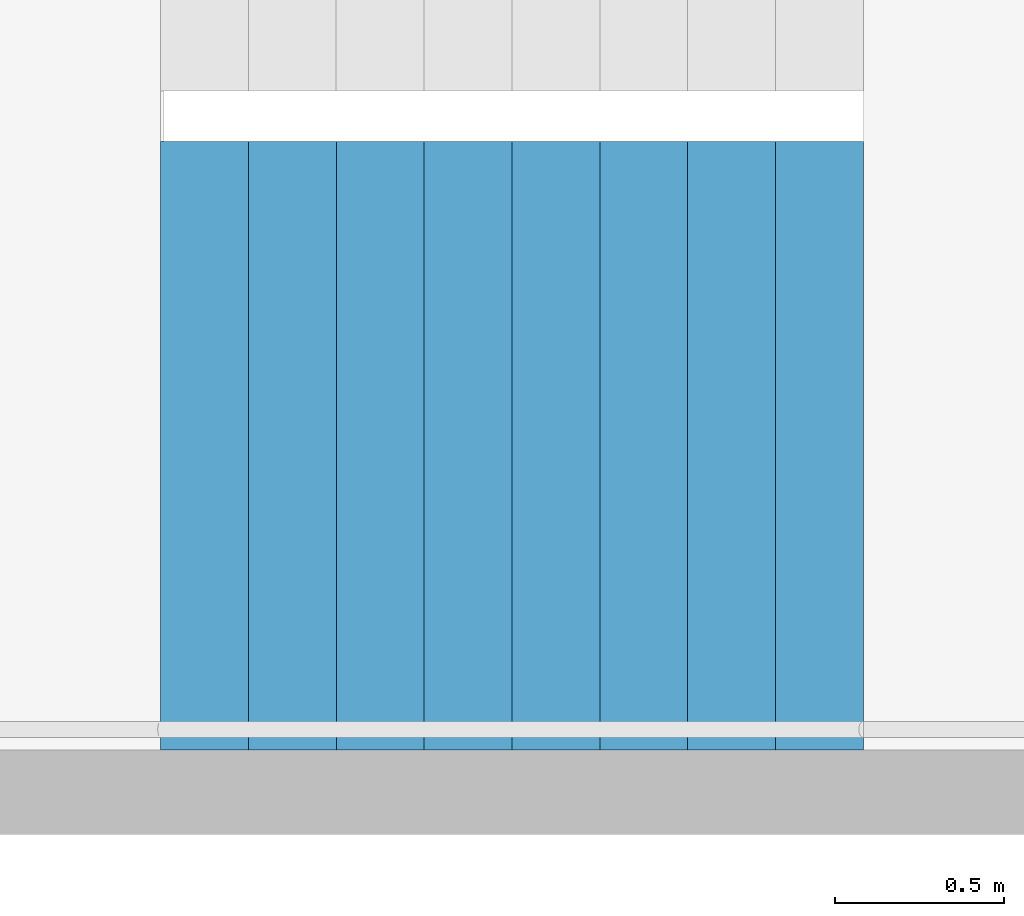
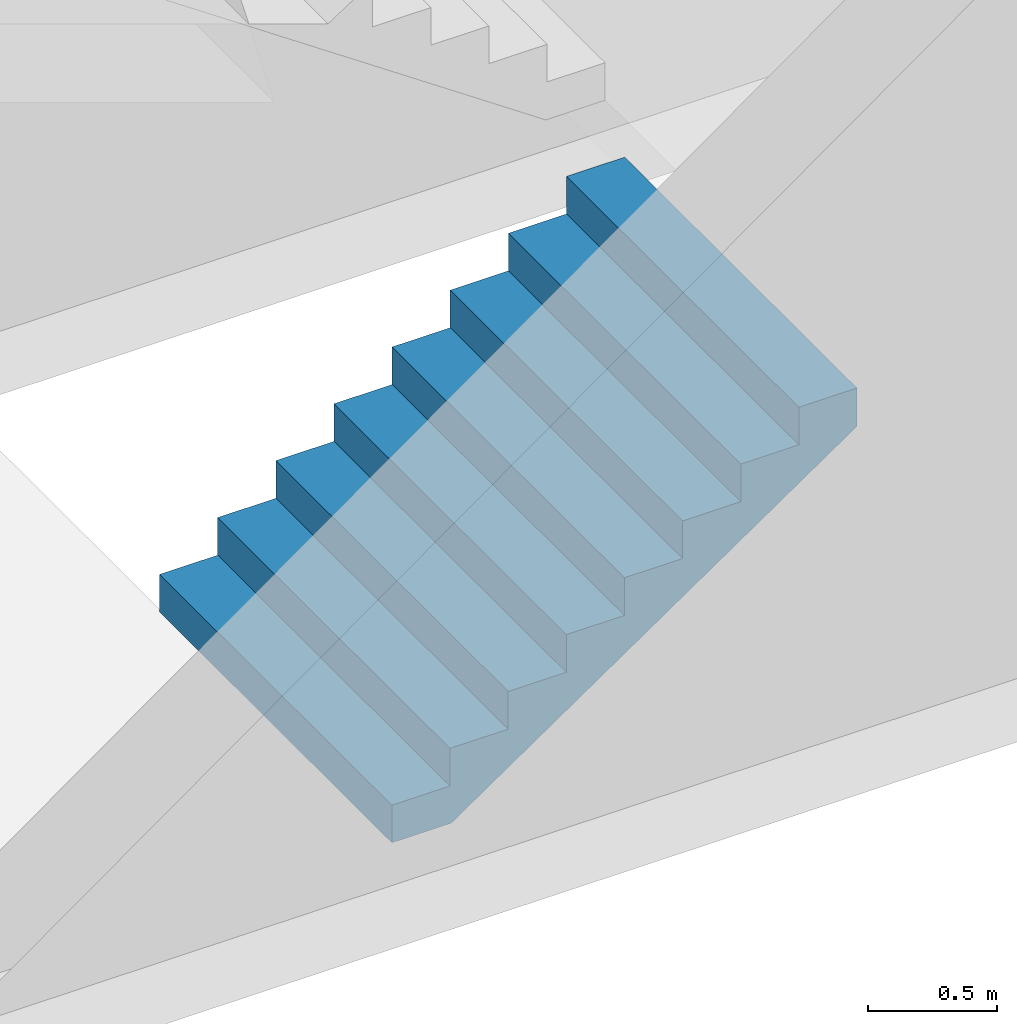
# One storey, part 21 of 43: 1 stair flight, 1 element without a shape of its own.
"""IFC4 building model written with IfcOpenShell, lengths in metres."""

from ifc_helpers import new_model, si_unit, direction, frame, origin, place, context, subcontext, project, spatial, triangles, material, type_object, element, aggregate, save


model = new_model("IFC4")

# Units and contexts
model_context = context("Model", 3, precision=1e-05, world=origin(), true_north=direction((0.0, 1.0)))
body_context = subcontext(model_context, "Body", "Model", "MODEL_VIEW")
ifc_project = project(units=[si_unit("LENGTHUNIT", "METRE"), si_unit("AREAUNIT", "SQUARE_METRE"), si_unit("VOLUMEUNIT", "CUBIC_METRE"), si_unit("PLANEANGLEUNIT", "RADIAN"), si_unit("MASSUNIT", "GRAM", prefix="KILO")], contexts=[model_context])

# Site, building, storey
site_placement = place(None, origin())
site = spatial("IfcSite", under=ifc_project, at=site_placement, CompositionType="ELEMENT")
building_placement = place(site_placement, origin())
building = spatial("IfcBuilding", under=site, at=building_placement, Name="Hakoniwa Tower and Hamabe Station Hall", CompositionType="ELEMENT")
storey_placement = place(building_placement, frame((0.0, 0.0, 124.60009765625)))
storey = spatial("IfcBuildingStorey", under=building, at=storey_placement, Name="L35", CompositionType="ELEMENT", Elevation=124.60009765625)

# Stair, stair flight
ifc_material_1 = material(Name="Concrete C40", Category="concrete")
stair_type = type_object("IfcStairType", Name="ESCAPE STAIR 1800", PredefinedType="HALF_TURN_STAIR", material=ifc_material_1)
stair_placement = place(storey_placement, origin())
stair = element("IfcStair", 1, at=stair_placement, inside=storey, type_object=stair_type, Name="Escape stair ST-1 L35", PredefinedType="HALF_TURN_STAIR")
ifc_material_2 = material(Name="Concrete C40", Category="concrete")
stair_flight_type = type_object("IfcStairFlightType", Name="STAIR FLIGHT 1800", PredefinedType="STRAIGHT", material=ifc_material_2)
stair_flight_placement = place(storey_placement, frame((-24.39990234375, 4.64990234375, 0.0), z_axis=(0.0, 0.0, 1.0), x_axis=(1.0, 0.0, 0.0)))
stair_flight = element("IfcStairFlight", 2, at=stair_flight_placement, type_object=stair_flight_type, Name="ST-1 flight 1", NumberOfRisers=9, NumberOfTreads=8, PredefinedType="STRAIGHT", RiserHeight=0.177777778, TreadLength=0.26, context=body_context, shape_type="Tessellation", body=[
    triangles([(0.0, 0.89990234375, 0.0), (0.260009765625, 0.89990234375, 0.0), (0.265625, 0.89990234375, 0.0), (0.52001953125, 0.89990234375, 0.174072265625), (0.780029296875, 0.89990234375, 0.351806640625), (1.0400390625, 0.89990234375, 0.529541015625), (1.300048828125, 0.89990234375, 0.707275390625), (1.56005859375, 0.89990234375, 0.885009765625), (1.820068359375, 0.89990234375, 1.062744140625), (2.080078125, 0.89990234375, 1.24072265625), (2.080078125, 0.89990234375, 1.422119140625), (1.820068359375, 0.89990234375, 1.422119140625), (1.820068359375, 0.89990234375, 1.244384765625), (1.56005859375, 0.89990234375, 1.244384765625), (1.56005859375, 0.89990234375, 1.066650390625), (1.300048828125, 0.89990234375, 1.066650390625), (1.300048828125, 0.89990234375, 0.888916015625), (1.0400390625, 0.89990234375, 0.888916015625), (1.0400390625, 0.89990234375, 0.711181640625), (0.780029296875, 0.89990234375, 0.711181640625), (0.780029296875, 0.89990234375, 0.533447265625), (0.52001953125, 0.89990234375, 0.533447265625), (0.52001953125, 0.89990234375, 0.35546875), (0.265625, 0.89990234375, 0.35546875), (0.260009765625, 0.89990234375, 0.35546875), (0.260009765625, 0.89990234375, 0.177734375), (0.0, 0.89990234375, 0.177734375), (0.0, 0.06005859375, 0.0), (0.260009765625, 0.06005859375, 0.0), (0.265625, 0.06005859375, 0.0), (0.52001953125, 0.06005859375, 0.174072265625), (0.780029296875, 0.06005859375, 0.351806640625), (1.0400390625, 0.06005859375, 0.529541015625), (1.300048828125, 0.06005859375, 0.707275390625), (1.56005859375, 0.06005859375, 0.885009765625), (1.820068359375, 0.06005859375, 1.062744140625), (2.080078125, 0.06005859375, 1.24072265625), (2.080078125, 0.06005859375, 1.422119140625), (1.820068359375, 0.06005859375, 1.422119140625), (1.820068359375, 0.06005859375, 1.244384765625), (1.56005859375, 0.06005859375, 1.244384765625), (1.56005859375, 0.06005859375, 1.066650390625), (1.300048828125, 0.06005859375, 1.066650390625), (1.300048828125, 0.06005859375, 0.888916015625), (1.0400390625, 0.06005859375, 0.888916015625), (1.0400390625, 0.06005859375, 0.711181640625), (0.780029296875, 0.06005859375, 0.711181640625), (0.780029296875, 0.06005859375, 0.533447265625), (0.52001953125, 0.06005859375, 0.533447265625), (0.52001953125, 0.06005859375, 0.35546875), (0.265625, 0.06005859375, 0.35546875), (0.260009765625, 0.06005859375, 0.35546875), (0.260009765625, 0.06005859375, 0.177734375), (0.0, 0.06005859375, 0.177734375), (0.0, 0.04296875, 0.0), (0.260009765625, 0.04296875, 0.0), (0.265625, 0.04296875, 0.0), (0.52001953125, 0.04296875, 0.174072265625), (0.780029296875, 0.04296875, 0.351806640625), (1.0400390625, 0.04296875, 0.529541015625), (1.300048828125, 0.04296875, 0.707275390625), (1.56005859375, 0.04296875, 0.885009765625), (1.820068359375, 0.04296875, 1.062744140625), (2.080078125, 0.04296875, 1.24072265625), (2.080078125, 0.04296875, 1.422119140625), (1.820068359375, 0.04296875, 1.422119140625), (1.820068359375, 0.04296875, 1.244384765625), (1.56005859375, 0.04296875, 1.244384765625), (1.56005859375, 0.04296875, 1.066650390625), (1.300048828125, 0.04296875, 1.066650390625), (1.300048828125, 0.04296875, 0.888916015625), (1.0400390625, 0.04296875, 0.888916015625), (1.0400390625, 0.04296875, 0.711181640625), (0.780029296875, 0.04296875, 0.711181640625), (0.780029296875, 0.04296875, 0.533447265625), (0.52001953125, 0.04296875, 0.533447265625), (0.52001953125, 0.04296875, 0.35546875), (0.265625, 0.04296875, 0.35546875), (0.260009765625, 0.04296875, 0.35546875), (0.260009765625, 0.04296875, 0.177734375), (0.0, 0.04296875, 0.177734375), (0.0, 0.025634765625, 0.0), (0.260009765625, 0.025634765625, 0.0), (0.265625, 0.025634765625, 0.0), (0.52001953125, 0.025634765625, 0.174072265625), (0.780029296875, 0.025634765625, 0.351806640625), (1.0400390625, 0.025634765625, 0.529541015625), (1.300048828125, 0.025634765625, 0.707275390625), (1.56005859375, 0.025634765625, 0.885009765625), (1.820068359375, 0.025634765625, 1.062744140625), (2.080078125, 0.025634765625, 1.24072265625), (2.080078125, 0.025634765625, 1.422119140625), (1.820068359375, 0.025634765625, 1.422119140625), (1.820068359375, 0.025634765625, 1.244384765625), (1.56005859375, 0.025634765625, 1.244384765625), (1.56005859375, 0.025634765625, 1.066650390625), (1.300048828125, 0.025634765625, 1.066650390625), (1.300048828125, 0.025634765625, 0.888916015625), (1.0400390625, 0.025634765625, 0.888916015625), (1.0400390625, 0.025634765625, 0.711181640625), (0.780029296875, 0.025634765625, 0.711181640625), (0.780029296875, 0.025634765625, 0.533447265625), (0.52001953125, 0.025634765625, 0.533447265625), (0.52001953125, 0.025634765625, 0.35546875), (0.265625, 0.025634765625, 0.35546875), (0.260009765625, 0.025634765625, 0.35546875), (0.260009765625, 0.025634765625, 0.177734375), (0.0, 0.025634765625, 0.177734375), (0.0, 0.008544921875, 0.0), (0.260009765625, 0.008544921875, 0.0), (0.265625, 0.008544921875, 0.0), (0.52001953125, 0.008544921875, 0.174072265625), (0.780029296875, 0.008544921875, 0.351806640625), (1.0400390625, 0.008544921875, 0.529541015625), (1.300048828125, 0.008544921875, 0.707275390625), (1.56005859375, 0.008544921875, 0.885009765625), (1.820068359375, 0.008544921875, 1.062744140625), (2.080078125, 0.008544921875, 1.24072265625), (2.080078125, 0.008544921875, 1.422119140625), (1.820068359375, 0.008544921875, 1.422119140625), (1.820068359375, 0.008544921875, 1.244384765625), (1.56005859375, 0.008544921875, 1.244384765625), (1.56005859375, 0.008544921875, 1.066650390625), (1.300048828125, 0.008544921875, 1.066650390625), (1.300048828125, 0.008544921875, 0.888916015625), (1.0400390625, 0.008544921875, 0.888916015625), (1.0400390625, 0.008544921875, 0.711181640625), (0.780029296875, 0.008544921875, 0.711181640625), (0.780029296875, 0.008544921875, 0.533447265625), (0.52001953125, 0.008544921875, 0.533447265625), (0.52001953125, 0.008544921875, 0.35546875), (0.265625, 0.008544921875, 0.35546875), (0.260009765625, 0.008544921875, 0.35546875), (0.260009765625, 0.008544921875, 0.177734375), (0.0, 0.008544921875, 0.177734375), (0.0, -0.008544921875, 0.0), (0.260009765625, -0.008544921875, 0.0), (0.265625, -0.008544921875, 0.0), (0.52001953125, -0.008544921875, 0.174072265625), (0.780029296875, -0.008544921875, 0.351806640625), (1.0400390625, -0.008544921875, 0.529541015625), (1.300048828125, -0.008544921875, 0.707275390625), (1.56005859375, -0.008544921875, 0.885009765625), (1.820068359375, -0.008544921875, 1.062744140625), (2.080078125, -0.008544921875, 1.24072265625), (2.080078125, -0.008544921875, 1.422119140625), (1.820068359375, -0.008544921875, 1.422119140625), (1.820068359375, -0.008544921875, 1.244384765625), (1.56005859375, -0.008544921875, 1.244384765625), (1.56005859375, -0.008544921875, 1.066650390625), (1.300048828125, -0.008544921875, 1.066650390625), (1.300048828125, -0.008544921875, 0.888916015625), (1.0400390625, -0.008544921875, 0.888916015625), (1.0400390625, -0.008544921875, 0.711181640625), (0.780029296875, -0.008544921875, 0.711181640625), (0.780029296875, -0.008544921875, 0.533447265625), (0.52001953125, -0.008544921875, 0.533447265625), (0.52001953125, -0.008544921875, 0.35546875), (0.265625, -0.008544921875, 0.35546875), (0.260009765625, -0.008544921875, 0.35546875), (0.260009765625, -0.008544921875, 0.177734375), (0.0, -0.008544921875, 0.177734375), (0.0, -0.025634765625, 0.0), (0.260009765625, -0.025634765625, 0.0), (0.265625, -0.025634765625, 0.0), (0.52001953125, -0.025634765625, 0.174072265625), (0.780029296875, -0.025634765625, 0.351806640625), (1.0400390625, -0.025634765625, 0.529541015625), (1.300048828125, -0.025634765625, 0.707275390625), (1.56005859375, -0.025634765625, 0.885009765625), (1.820068359375, -0.025634765625, 1.062744140625), (2.080078125, -0.025634765625, 1.24072265625), (2.080078125, -0.025634765625, 1.422119140625), (1.820068359375, -0.025634765625, 1.422119140625), (1.820068359375, -0.025634765625, 1.244384765625), (1.56005859375, -0.025634765625, 1.244384765625), (1.56005859375, -0.025634765625, 1.066650390625), (1.300048828125, -0.025634765625, 1.066650390625), (1.300048828125, -0.025634765625, 0.888916015625), (1.0400390625, -0.025634765625, 0.888916015625), (1.0400390625, -0.025634765625, 0.711181640625), (0.780029296875, -0.025634765625, 0.711181640625), (0.780029296875, -0.025634765625, 0.533447265625), (0.52001953125, -0.025634765625, 0.533447265625), (0.52001953125, -0.025634765625, 0.35546875), (0.265625, -0.025634765625, 0.35546875), (0.260009765625, -0.025634765625, 0.35546875), (0.260009765625, -0.025634765625, 0.177734375), (0.0, -0.025634765625, 0.177734375), (0.0, -0.04296875, 0.0), (0.260009765625, -0.04296875, 0.0), (0.265625, -0.04296875, 0.0), (0.52001953125, -0.04296875, 0.174072265625), (0.780029296875, -0.04296875, 0.351806640625), (1.0400390625, -0.04296875, 0.529541015625), (1.300048828125, -0.04296875, 0.707275390625), (1.56005859375, -0.04296875, 0.885009765625), (1.820068359375, -0.04296875, 1.062744140625), (2.080078125, -0.04296875, 1.24072265625), (2.080078125, -0.04296875, 1.422119140625), (1.820068359375, -0.04296875, 1.422119140625), (1.820068359375, -0.04296875, 1.244384765625), (1.56005859375, -0.04296875, 1.244384765625), (1.56005859375, -0.04296875, 1.066650390625), (1.300048828125, -0.04296875, 1.066650390625), (1.300048828125, -0.04296875, 0.888916015625), (1.0400390625, -0.04296875, 0.888916015625), (1.0400390625, -0.04296875, 0.711181640625), (0.780029296875, -0.04296875, 0.711181640625), (0.780029296875, -0.04296875, 0.533447265625), (0.52001953125, -0.04296875, 0.533447265625), (0.52001953125, -0.04296875, 0.35546875), (0.265625, -0.04296875, 0.35546875), (0.260009765625, -0.04296875, 0.35546875), (0.260009765625, -0.04296875, 0.177734375), (0.0, -0.04296875, 0.177734375), (0.0, -0.06005859375, 0.0), (0.260009765625, -0.06005859375, 0.0), (0.265625, -0.06005859375, 0.0), (0.52001953125, -0.06005859375, 0.174072265625), (0.780029296875, -0.06005859375, 0.351806640625), (1.0400390625, -0.06005859375, 0.529541015625), (1.300048828125, -0.06005859375, 0.707275390625), (1.56005859375, -0.06005859375, 0.885009765625), (1.820068359375, -0.06005859375, 1.062744140625), (2.080078125, -0.06005859375, 1.24072265625), (2.080078125, -0.06005859375, 1.422119140625), (1.820068359375, -0.06005859375, 1.422119140625), (1.820068359375, -0.06005859375, 1.244384765625), (1.56005859375, -0.06005859375, 1.244384765625), (1.56005859375, -0.06005859375, 1.066650390625), (1.300048828125, -0.06005859375, 1.066650390625), (1.300048828125, -0.06005859375, 0.888916015625), (1.0400390625, -0.06005859375, 0.888916015625), (1.0400390625, -0.06005859375, 0.711181640625), (0.780029296875, -0.06005859375, 0.711181640625), (0.780029296875, -0.06005859375, 0.533447265625), (0.52001953125, -0.06005859375, 0.533447265625), (0.52001953125, -0.06005859375, 0.35546875), (0.265625, -0.06005859375, 0.35546875), (0.260009765625, -0.06005859375, 0.35546875), (0.260009765625, -0.06005859375, 0.177734375), (0.0, -0.06005859375, 0.177734375), (0.0, -0.89990234375, 0.0), (0.260009765625, -0.89990234375, 0.0), (0.265625, -0.89990234375, 0.0), (0.52001953125, -0.89990234375, 0.174072265625), (0.780029296875, -0.89990234375, 0.351806640625), (1.0400390625, -0.89990234375, 0.529541015625), (1.300048828125, -0.89990234375, 0.707275390625), (1.56005859375, -0.89990234375, 0.885009765625), (1.820068359375, -0.89990234375, 1.062744140625), (2.080078125, -0.89990234375, 1.24072265625), (2.080078125, -0.89990234375, 1.422119140625), (1.820068359375, -0.89990234375, 1.422119140625), (1.820068359375, -0.89990234375, 1.244384765625), (1.56005859375, -0.89990234375, 1.244384765625), (1.56005859375, -0.89990234375, 1.066650390625), (1.300048828125, -0.89990234375, 1.066650390625), (1.300048828125, -0.89990234375, 0.888916015625), (1.0400390625, -0.89990234375, 0.888916015625), (1.0400390625, -0.89990234375, 0.711181640625), (0.780029296875, -0.89990234375, 0.711181640625), (0.780029296875, -0.89990234375, 0.533447265625), (0.52001953125, -0.89990234375, 0.533447265625), (0.52001953125, -0.89990234375, 0.35546875), (0.265625, -0.89990234375, 0.35546875), (0.260009765625, -0.89990234375, 0.35546875), (0.260009765625, -0.89990234375, 0.177734375), (0.0, -0.89990234375, 0.177734375)], [[2, 27, 26], [245, 269, 270], [2, 1, 27], [245, 270, 244], [3, 25, 24], [246, 267, 268], [3, 26, 25], [246, 268, 269], [3, 2, 26], [246, 269, 245], [4, 24, 23], [247, 266, 267], [4, 3, 24], [247, 267, 246], [5, 22, 21], [248, 264, 265], [5, 23, 22], [248, 265, 266], [5, 4, 23], [248, 266, 247], [6, 20, 19], [249, 262, 263], [6, 21, 20], [249, 263, 264], [6, 5, 21], [249, 264, 248], [7, 18, 17], [250, 260, 261], [7, 19, 18], [250, 261, 262], [7, 6, 19], [250, 262, 249], [8, 16, 15], [251, 258, 259], [8, 17, 16], [251, 259, 260], [8, 7, 17], [251, 260, 250], [9, 14, 13], [252, 256, 257], [9, 15, 14], [252, 257, 258], [9, 8, 15], [252, 258, 251], [10, 12, 11], [253, 254, 255], [10, 13, 12], [253, 255, 256], [10, 9, 13], [253, 256, 252], [1, 2, 29], [1, 29, 28], [28, 29, 56], [28, 56, 55], [55, 56, 83], [55, 83, 82], [82, 83, 110], [82, 110, 109], [109, 110, 137], [109, 137, 136], [136, 137, 164], [136, 164, 163], [163, 164, 191], [163, 191, 190], [190, 191, 218], [190, 218, 217], [217, 218, 245], [217, 245, 244], [2, 3, 30], [2, 30, 29], [29, 30, 57], [29, 57, 56], [56, 57, 84], [56, 84, 83], [83, 84, 111], [83, 111, 110], [110, 111, 138], [110, 138, 137], [137, 138, 165], [137, 165, 164], [164, 165, 192], [164, 192, 191], [191, 192, 219], [191, 219, 218], [218, 219, 246], [218, 246, 245], [3, 4, 31], [3, 31, 30], [30, 31, 58], [30, 58, 57], [57, 58, 85], [57, 85, 84], [84, 85, 112], [84, 112, 111], [111, 112, 139], [111, 139, 138], [138, 139, 166], [138, 166, 165], [165, 166, 193], [165, 193, 192], [192, 193, 220], [192, 220, 219], [219, 220, 247], [219, 247, 246], [4, 5, 32], [4, 32, 31], [31, 32, 59], [31, 59, 58], [58, 59, 86], [58, 86, 85], [85, 86, 113], [85, 113, 112], [112, 113, 140], [112, 140, 139], [139, 140, 167], [139, 167, 166], [166, 167, 194], [166, 194, 193], [193, 194, 221], [193, 221, 220], [220, 221, 248], [220, 248, 247], [5, 6, 33], [5, 33, 32], [32, 33, 60], [32, 60, 59], [59, 60, 87], [59, 87, 86], [86, 87, 114], [86, 114, 113], [113, 114, 141], [113, 141, 140], [140, 141, 168], [140, 168, 167], [167, 168, 195], [167, 195, 194], [194, 195, 222], [194, 222, 221], [221, 222, 249], [221, 249, 248], [6, 7, 34], [6, 34, 33], [33, 34, 61], [33, 61, 60], [60, 61, 88], [60, 88, 87], [87, 88, 115], [87, 115, 114], [114, 115, 142], [114, 142, 141], [141, 142, 169], [141, 169, 168], [168, 169, 196], [168, 196, 195], [195, 196, 223], [195, 223, 222], [222, 223, 250], [222, 250, 249], [7, 8, 35], [7, 35, 34], [34, 35, 62], [34, 62, 61], [61, 62, 89], [61, 89, 88], [88, 89, 116], [88, 116, 115], [115, 116, 143], [115, 143, 142], [142, 143, 170], [142, 170, 169], [169, 170, 197], [169, 197, 196], [196, 197, 224], [196, 224, 223], [223, 224, 251], [223, 251, 250], [8, 9, 36], [8, 36, 35], [35, 36, 63], [35, 63, 62], [62, 63, 90], [62, 90, 89], [89, 90, 117], [89, 117, 116], [116, 117, 144], [116, 144, 143], [143, 144, 171], [143, 171, 170], [170, 171, 198], [170, 198, 197], [197, 198, 225], [197, 225, 224], [224, 225, 252], [224, 252, 251], [9, 10, 37], [9, 37, 36], [36, 37, 64], [36, 64, 63], [63, 64, 91], [63, 91, 90], [90, 91, 118], [90, 118, 117], [117, 118, 145], [117, 145, 144], [144, 145, 172], [144, 172, 171], [171, 172, 199], [171, 199, 198], [198, 199, 226], [198, 226, 225], [225, 226, 253], [225, 253, 252], [10, 11, 38], [10, 38, 37], [37, 38, 65], [37, 65, 64], [64, 65, 92], [64, 92, 91], [91, 92, 119], [91, 119, 118], [118, 119, 146], [118, 146, 145], [145, 146, 173], [145, 173, 172], [172, 173, 200], [172, 200, 199], [199, 200, 227], [199, 227, 226], [226, 227, 254], [226, 254, 253], [11, 12, 39], [11, 39, 38], [38, 39, 66], [38, 66, 65], [65, 66, 93], [65, 93, 92], [92, 93, 120], [92, 120, 119], [119, 120, 147], [119, 147, 146], [146, 147, 174], [146, 174, 173], [173, 174, 201], [173, 201, 200], [200, 201, 228], [200, 228, 227], [227, 228, 255], [227, 255, 254], [12, 13, 40], [12, 40, 39], [39, 40, 67], [39, 67, 66], [66, 67, 94], [66, 94, 93], [93, 94, 121], [93, 121, 120], [120, 121, 148], [120, 148, 147], [147, 148, 175], [147, 175, 174], [174, 175, 202], [174, 202, 201], [201, 202, 229], [201, 229, 228], [228, 229, 256], [228, 256, 255], [13, 14, 41], [13, 41, 40], [40, 41, 68], [40, 68, 67], [67, 68, 95], [67, 95, 94], [94, 95, 122], [94, 122, 121], [121, 122, 149], [121, 149, 148], [148, 149, 176], [148, 176, 175], [175, 176, 203], [175, 203, 202], [202, 203, 230], [202, 230, 229], [229, 230, 257], [229, 257, 256], [14, 15, 42], [14, 42, 41], [41, 42, 69], [41, 69, 68], [68, 69, 96], [68, 96, 95], [95, 96, 123], [95, 123, 122], [122, 123, 150], [122, 150, 149], [149, 150, 177], [149, 177, 176], [176, 177, 204], [176, 204, 203], [203, 204, 231], [203, 231, 230], [230, 231, 258], [230, 258, 257], [15, 16, 43], [15, 43, 42], [42, 43, 70], [42, 70, 69], [69, 70, 97], [69, 97, 96], [96, 97, 124], [96, 124, 123], [123, 124, 151], [123, 151, 150], [150, 151, 178], [150, 178, 177], [177, 178, 205], [177, 205, 204], [204, 205, 232], [204, 232, 231], [231, 232, 259], [231, 259, 258], [16, 17, 44], [16, 44, 43], [43, 44, 71], [43, 71, 70], [70, 71, 98], [70, 98, 97], [97, 98, 125], [97, 125, 124], [124, 125, 152], [124, 152, 151], [151, 152, 179], [151, 179, 178], [178, 179, 206], [178, 206, 205], [205, 206, 233], [205, 233, 232], [232, 233, 260], [232, 260, 259], [17, 18, 45], [17, 45, 44], [44, 45, 72], [44, 72, 71], [71, 72, 99], [71, 99, 98], [98, 99, 126], [98, 126, 125], [125, 126, 153], [125, 153, 152], [152, 153, 180], [152, 180, 179], [179, 180, 207], [179, 207, 206], [206, 207, 234], [206, 234, 233], [233, 234, 261], [233, 261, 260], [18, 19, 46], [18, 46, 45], [45, 46, 73], [45, 73, 72], [72, 73, 100], [72, 100, 99], [99, 100, 127], [99, 127, 126], [126, 127, 154], [126, 154, 153], [153, 154, 181], [153, 181, 180], [180, 181, 208], [180, 208, 207], [207, 208, 235], [207, 235, 234], [234, 235, 262], [234, 262, 261], [19, 20, 47], [19, 47, 46], [46, 47, 74], [46, 74, 73], [73, 74, 101], [73, 101, 100], [100, 101, 128], [100, 128, 127], [127, 128, 155], [127, 155, 154], [154, 155, 182], [154, 182, 181], [181, 182, 209], [181, 209, 208], [208, 209, 236], [208, 236, 235], [235, 236, 263], [235, 263, 262], [20, 21, 48], [20, 48, 47], [47, 48, 75], [47, 75, 74], [74, 75, 102], [74, 102, 101], [101, 102, 129], [101, 129, 128], [128, 129, 156], [128, 156, 155], [155, 156, 183], [155, 183, 182], [182, 183, 210], [182, 210, 209], [209, 210, 237], [209, 237, 236], [236, 237, 264], [236, 264, 263], [21, 22, 49], [21, 49, 48], [48, 49, 76], [48, 76, 75], [75, 76, 103], [75, 103, 102], [102, 103, 130], [102, 130, 129], [129, 130, 157], [129, 157, 156], [156, 157, 184], [156, 184, 183], [183, 184, 211], [183, 211, 210], [210, 211, 238], [210, 238, 237], [237, 238, 265], [237, 265, 264], [22, 23, 50], [22, 50, 49], [49, 50, 77], [49, 77, 76], [76, 77, 104], [76, 104, 103], [103, 104, 131], [103, 131, 130], [130, 131, 158], [130, 158, 157], [157, 158, 185], [157, 185, 184], [184, 185, 212], [184, 212, 211], [211, 212, 239], [211, 239, 238], [238, 239, 266], [238, 266, 265], [23, 24, 51], [23, 51, 50], [50, 51, 78], [50, 78, 77], [77, 78, 105], [77, 105, 104], [104, 105, 132], [104, 132, 131], [131, 132, 159], [131, 159, 158], [158, 159, 186], [158, 186, 185], [185, 186, 213], [185, 213, 212], [212, 213, 240], [212, 240, 239], [239, 240, 267], [239, 267, 266], [24, 25, 52], [24, 52, 51], [51, 52, 79], [51, 79, 78], [78, 79, 106], [78, 106, 105], [105, 106, 133], [105, 133, 132], [132, 133, 160], [132, 160, 159], [159, 160, 187], [159, 187, 186], [186, 187, 214], [186, 214, 213], [213, 214, 241], [213, 241, 240], [240, 241, 268], [240, 268, 267], [25, 26, 53], [25, 53, 52], [52, 53, 80], [52, 80, 79], [79, 80, 107], [79, 107, 106], [106, 107, 134], [106, 134, 133], [133, 134, 161], [133, 161, 160], [160, 161, 188], [160, 188, 187], [187, 188, 215], [187, 215, 214], [214, 215, 242], [214, 242, 241], [241, 242, 269], [241, 269, 268], [26, 27, 54], [26, 54, 53], [53, 54, 81], [53, 81, 80], [80, 81, 108], [80, 108, 107], [107, 108, 135], [107, 135, 134], [134, 135, 162], [134, 162, 161], [161, 162, 189], [161, 189, 188], [188, 189, 216], [188, 216, 215], [215, 216, 243], [215, 243, 242], [242, 243, 270], [242, 270, 269], [27, 1, 28], [27, 28, 54], [54, 28, 55], [54, 55, 81], [81, 55, 82], [81, 82, 108], [108, 82, 109], [108, 109, 135], [135, 109, 136], [135, 136, 162], [162, 136, 163], [162, 163, 189], [189, 163, 190], [189, 190, 216], [216, 190, 217], [216, 217, 243], [243, 217, 244], [243, 244, 270]], closed=True),
])
aggregate(stair, [stair_flight])

save(model, "model.ifc")
